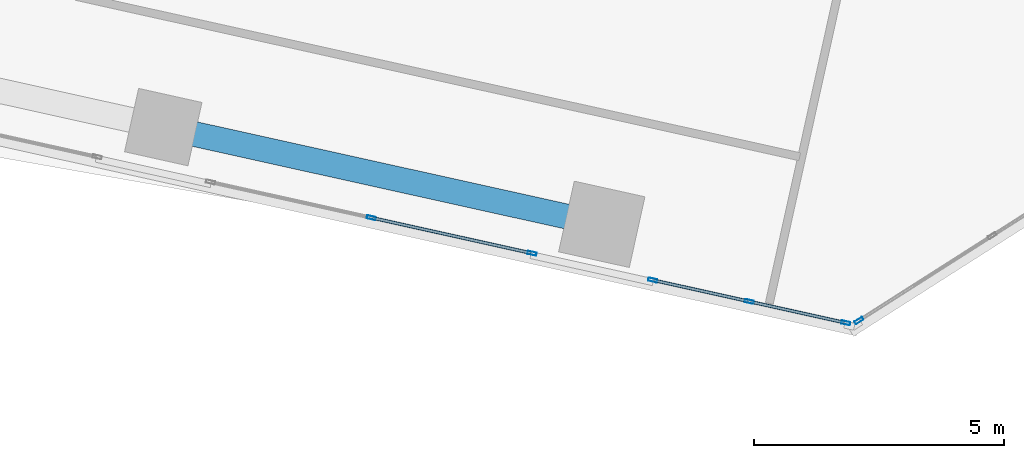
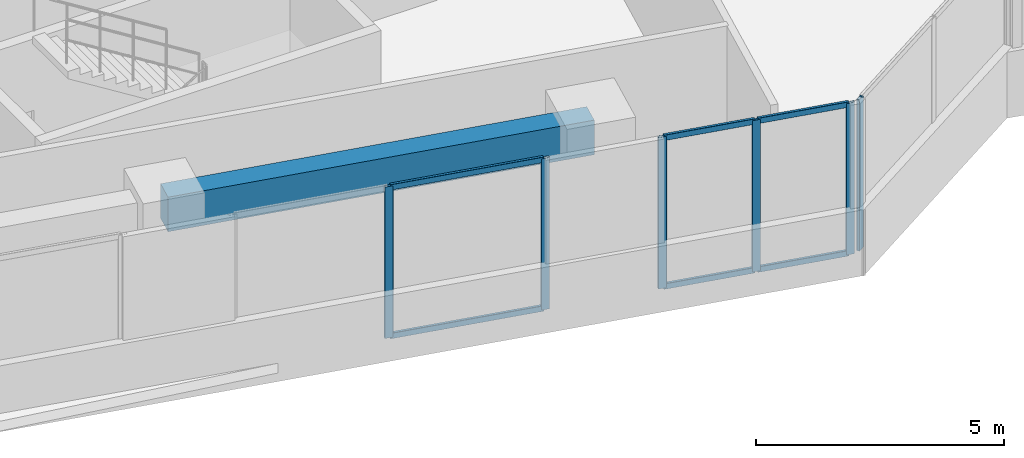
# One storey, part 4 of 25: 12 members, 1 beam, 3 elements without a shape of their own.
"""IFC4 building model written with IfcOpenShell, lengths in metres."""

from ifc_helpers import new_model, si_unit, direction, frame, origin, origin_2d, place, context, subcontext, project, spatial, rectangle, hollow_rectangle, extrude, source, transform, mapped, material, material_profile, profile_set, type_object, element, aggregate, save


model = new_model("IFC4")

# Units and contexts
model_context = context("Model", 3, precision=1e-05, world=origin(), true_north=direction((0.0, 1.0)))
body_context = subcontext(model_context, "Body", "Model", "MODEL_VIEW")
ifc_project = project(units=[si_unit("LENGTHUNIT", "METRE"), si_unit("AREAUNIT", "SQUARE_METRE"), si_unit("VOLUMEUNIT", "CUBIC_METRE"), si_unit("PLANEANGLEUNIT", "RADIAN"), si_unit("MASSUNIT", "GRAM", prefix="KILO")], contexts=[model_context])

# Site, building, storey
site_placement = place(None, origin())
site = spatial("IfcSite", under=ifc_project, at=site_placement, CompositionType="ELEMENT")
building_placement = place(site_placement, origin())
building = spatial("IfcBuilding", under=site, at=building_placement, Name="Torre Montelarca", CompositionType="ELEMENT")
storey_placement = place(building_placement, frame((0.0, 0.0, 87.39990234375)))
storey = spatial("IfcBuildingStorey", under=building, at=storey_placement, Name="L19", CompositionType="ELEMENT", Elevation=87.39990234375)

# Beam
ifc_material_1 = material(Name="Concrete C55/67", Category="concrete")
ifc_material_profile_1 = material_profile(ifc_material_1, rectangle(XDim=0.5, YDim=0.85009765625, at=origin_2d()), Name="RCB500X850", Category="concrete")
ifc_profile_set_1 = profile_set([ifc_material_profile_1], Name="Concrete C55/67")
beam_type = type_object("IfcBeamType", Name="BM-SP-RC850-EXT", PredefinedType="SPANDREL", material=ifc_profile_set_1)
shared_shape_1 = source(origin(), body_context, "Body", "SweptSolid", [
    extrude(rectangle(XDim=0.5, YDim=0.85009765625, at=origin_2d()), origin(), (0.0, 0.0, 1.0), 9.000244140625),
])
beam_placement = place(storey_placement, frame((14.360107421875, 15.965087890625, 3.53515625), z_axis=(0.976301811041, -0.216413432483, 0.0), x_axis=(0.216413432483, 0.976301811041, 0.0)))
element("IfcBeam", 1, at=beam_placement, inside=storey, type_object=beam_type, Name="L19 Grid Girder X 18.0-27.0 at Y=14.8", PredefinedType="SPANDREL", context=body_context, shape_type="MappedRepresentation", body=[
    mapped(shared_shape_1, transform((0.0, 0.0, 0.0), scale=1.0)),
])

# Curtain wall, members
ifc_material_2 = material(Name="Insulated low-E laminated glass", Category="glass")
curtain_wall_type = type_object("IfcCurtainWallType", Name="CW-SYS-Z1", PredefinedType="USERDEFINED", material=ifc_material_2)
curtain_wall_1_placement = place(storey_placement, origin())
curtain_wall_1 = element("IfcCurtainWall", 2, at=curtain_wall_1_placement, inside=storey, type_object=curtain_wall_type, Name="L19 Curtain Wall Run CW-T3-L19-E01-B2", ObjectType="UNITISED GLAZING", PredefinedType="USERDEFINED")
ifc_material_3 = material(Name="Anodised aluminium AA 6063-T6", Category="aluminium")
ifc_material_profile_2 = material_profile(ifc_material_3, hollow_rectangle(XDim=0.06494140625, YDim=0.139892578125, WallThickness=0.00390625, InnerFilletRadius=0.00390625, OuterFilletRadius=0.008056640625, at=origin_2d()), Name="ALU65X140X4", Category="aluminium")
ifc_profile_set_2 = profile_set([ifc_material_profile_2], Name="Anodised aluminium AA 6063-T6")
member_type_1 = type_object("IfcMemberType", Name="CWT-ALU140", PredefinedType="USERDEFINED", material=ifc_profile_set_2)
shared_shape_2 = source(origin(), body_context, "Body", "SweptSolid", [
    extrude(hollow_rectangle(XDim=0.06494140625, YDim=0.139892578125, WallThickness=0.00390625, InnerFilletRadius=0.00390625, OuterFilletRadius=0.008056640625, at=origin_2d()), origin(), (0.0, 0.0, 1.0), 3.235107421875),
])
member_1_placement = place(storey_placement, frame((18.560302734375, 14.14306640625, 0.03271484375), z_axis=(0.976297025306, -0.216435021147, 0.0), x_axis=(0.216435021147, 0.976297025306, 0.0)))
member_1 = element("IfcMember", 3, at=member_1_placement, type_object=member_type_1, Name="CW transom 2.1", ObjectType="TRANSOM", PredefinedType="USERDEFINED", context=body_context, shape_type="MappedRepresentation", body=[
    mapped(shared_shape_2, transform((0.0, 0.0, 0.0), scale=1.0)),
])
member_2_placement = place(storey_placement, frame((18.560302734375, 14.14306640625, 3.6875), z_axis=(0.976297025306, -0.216435021147, 0.0), x_axis=(0.216435021147, 0.976297025306, 0.0)))
member_2 = element("IfcMember", 4, at=member_2_placement, type_object=member_type_1, Name="CW transom 2.2", ObjectType="TRANSOM", PredefinedType="USERDEFINED", context=body_context, shape_type="MappedRepresentation", body=[
    mapped(shared_shape_2, transform((0.0, 0.0, 0.0), scale=1.0)),
])

curtain_wall_2_placement = place(storey_placement, origin())
curtain_wall_2 = element("IfcCurtainWall", 5, at=curtain_wall_2_placement, inside=storey, type_object=curtain_wall_type, Name="L19 Curtain Wall Run CW-T3-L19-E01-B3", ObjectType="UNITISED GLAZING", PredefinedType="USERDEFINED")
shared_shape_3 = source(origin(), body_context, "Body", "SweptSolid", [
    extrude(hollow_rectangle(XDim=0.06494140625, YDim=0.139892578125, WallThickness=0.00390625, InnerFilletRadius=0.00390625, OuterFilletRadius=0.008056640625, at=origin_2d()), origin(), (0.0, 0.0, 1.0), 1.9169921875),
])
member_3_placement = place(storey_placement, frame((24.198486328125, 12.89306640625, 0.03271484375), z_axis=(0.97628285362, -0.216498937015, 0.0), x_axis=(0.216498937015, 0.97628285362, 0.0)))
member_3 = element("IfcMember", 6, at=member_3_placement, type_object=member_type_1, Name="CW transom 1.1", ObjectType="TRANSOM", PredefinedType="USERDEFINED", context=body_context, shape_type="MappedRepresentation", body=[
    mapped(shared_shape_3, transform((0.0, 0.0, 0.0), scale=1.0)),
])
member_4_placement = place(storey_placement, frame((24.198486328125, 12.89306640625, 3.6875), z_axis=(0.97628285362, -0.216498937015, 0.0), x_axis=(0.216498937015, 0.97628285362, 0.0)))
member_4 = element("IfcMember", 7, at=member_4_placement, type_object=member_type_1, Name="CW transom 1.2", ObjectType="TRANSOM", PredefinedType="USERDEFINED", context=body_context, shape_type="MappedRepresentation", body=[
    mapped(shared_shape_3, transform((0.0, 0.0, 0.0), scale=1.0)),
])
member_5_placement = place(storey_placement, frame((26.133544921875, 12.464111328125, 0.03271484375), z_axis=(0.97628285362, -0.216498937015, 0.0), x_axis=(0.216498937015, 0.97628285362, 0.0)))
member_5 = element("IfcMember", 8, at=member_5_placement, type_object=member_type_1, Name="CW transom 2.1", ObjectType="TRANSOM", PredefinedType="USERDEFINED", context=body_context, shape_type="MappedRepresentation", body=[
    mapped(shared_shape_3, transform((0.0, 0.0, 0.0), scale=1.0)),
])
member_6_placement = place(storey_placement, frame((26.133544921875, 12.464111328125, 3.6875), z_axis=(0.97628285362, -0.216498937015, 0.0), x_axis=(0.216498937015, 0.97628285362, 0.0)))
member_6 = element("IfcMember", 9, at=member_6_placement, type_object=member_type_1, Name="CW transom 2.2", ObjectType="TRANSOM", PredefinedType="USERDEFINED", context=body_context, shape_type="MappedRepresentation", body=[
    mapped(shared_shape_3, transform((0.0, 0.0, 0.0), scale=1.0)),
])

# Member
ifc_material_profile_3 = material_profile(ifc_material_3, hollow_rectangle(XDim=0.06494140625, YDim=0.179931640625, WallThickness=0.00390625, InnerFilletRadius=0.00390625, OuterFilletRadius=0.008056640625, at=origin_2d()), Name="ALU65X180X4", Category="aluminium")
ifc_profile_set_3 = profile_set([ifc_material_profile_3], Name="Anodised aluminium AA 6063-T6")
member_type_2 = type_object("IfcMemberType", Name="CWM-ALU180", PredefinedType="MULLION", material=ifc_profile_set_3)
shared_shape_4 = source(origin(), body_context, "Body", "SweptSolid", [
    extrude(hollow_rectangle(XDim=0.06494140625, YDim=0.179931640625, WallThickness=0.00390625, InnerFilletRadius=0.00390625, OuterFilletRadius=0.008056640625, at=origin_2d()), origin(), (0.0, 0.0, 1.0), 3.72021484375),
])
member_7_placement = place(storey_placement, frame((18.528564453125, 14.14990234375, 0.0), z_axis=(0.0, 0.0, 1.0), x_axis=(0.216441138486, 0.976295669135, 0.0)))
member_7 = element("IfcMember", 10, at=member_7_placement, type_object=member_type_2, Name="CW mullion 2", PredefinedType="MULLION", context=body_context, shape_type="MappedRepresentation", body=[
    mapped(shared_shape_4, transform((0.0, 0.0, 0.0), scale=1.0)),
])

member_8_placement = place(storey_placement, frame((21.75048828125, 13.435791015625, 0.0), z_axis=(0.0, 0.0, 1.0), x_axis=(0.216441138486, 0.976295669135, 0.0)))
member_8 = element("IfcMember", 11, at=member_8_placement, type_object=member_type_2, Name="CW mullion 3", PredefinedType="MULLION", context=body_context, shape_type="MappedRepresentation", body=[
    mapped(shared_shape_4, transform((0.0, 0.0, 0.0), scale=1.0)),
])

aggregate(curtain_wall_1, [member_7, member_8, member_1, member_2])

member_9_placement = place(storey_placement, frame((24.166748046875, 12.900146484375, 0.0), z_axis=(0.0, 0.0, 1.0), x_axis=(0.216444275505, 0.976294973664, 0.0)))
member_9 = element("IfcMember", 12, at=member_9_placement, type_object=member_type_2, Name="CW mullion 1", PredefinedType="MULLION", context=body_context, shape_type="MappedRepresentation", body=[
    mapped(shared_shape_4, transform((0.0, 0.0, 0.0), scale=1.0)),
])

member_10_placement = place(storey_placement, frame((26.101806640625, 12.470947265625, 0.0), z_axis=(0.0, 0.0, 1.0), x_axis=(0.216444275505, 0.976294973664, 0.0)))
member_10 = element("IfcMember", 13, at=member_10_placement, type_object=member_type_2, Name="CW mullion 2", PredefinedType="MULLION", context=body_context, shape_type="MappedRepresentation", body=[
    mapped(shared_shape_4, transform((0.0, 0.0, 0.0), scale=1.0)),
])

member_11_placement = place(storey_placement, frame((28.036865234375, 12.0419921875, 0.0), z_axis=(0.0, 0.0, 1.0), x_axis=(0.216444275505, 0.976294973664, 0.0)))
member_11 = element("IfcMember", 14, at=member_11_placement, type_object=member_type_2, Name="CW mullion 3", PredefinedType="MULLION", context=body_context, shape_type="MappedRepresentation", body=[
    mapped(shared_shape_4, transform((0.0, 0.0, 0.0), scale=1.0)),
])

aggregate(curtain_wall_2, [member_9, member_10, member_11, member_3, member_4, member_5, member_6])

# Curtain wall, member
curtain_wall_3_placement = place(storey_placement, origin())
curtain_wall_3 = element("IfcCurtainWall", 15, at=curtain_wall_3_placement, inside=storey, type_object=curtain_wall_type, Name="L19 Curtain Wall Run CW-T3-L19-E02-B1", ObjectType="UNITISED GLAZING", PredefinedType="USERDEFINED")
member_12_placement = place(storey_placement, frame((28.2998046875, 12.08837890625, 0.0), z_axis=(0.0, 0.0, 1.0), x_axis=(-0.537312197398, 0.843383425571, 0.0)))
member_12 = element("IfcMember", 16, at=member_12_placement, type_object=member_type_2, Name="CW mullion 1", PredefinedType="MULLION", context=body_context, shape_type="MappedRepresentation", body=[
    mapped(shared_shape_4, transform((0.0, 0.0, 0.0), scale=1.0)),
])
aggregate(curtain_wall_3, [member_12])

save(model, "model.ifc")
